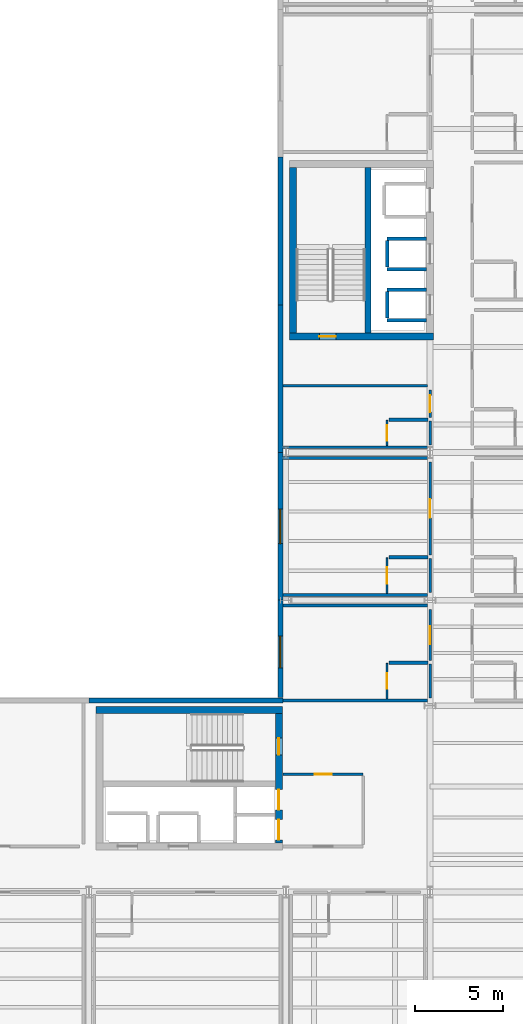
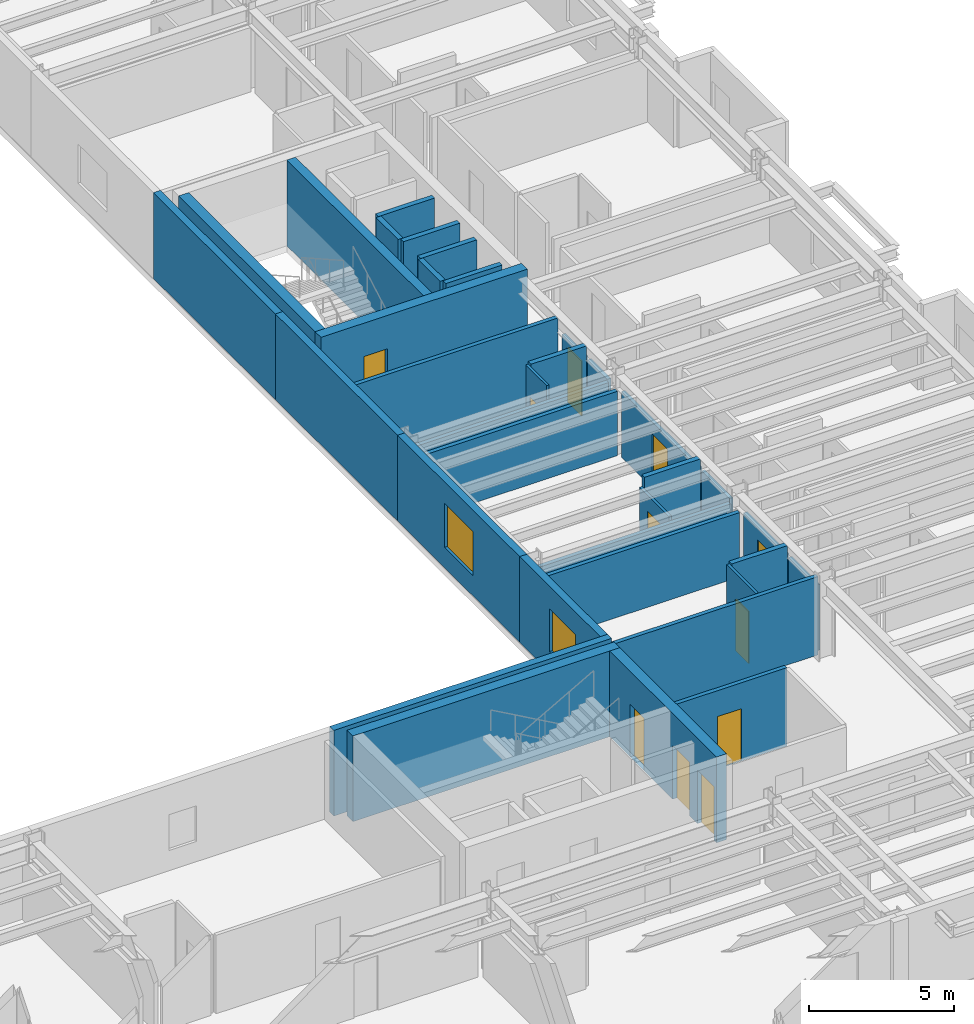
# One storey, part 19 of 27: 35 walls, 11 doors, 2 windows, 13 openings.
"""IFC4 building model written with IfcOpenShell, lengths in metres."""

from ifc_helpers import new_model, si_unit, direction, frame, frame_2d, origin, place, context, subcontext, project, spatial, rectangle, extrude, material, layer, layer_set, type_object, element, fill, save


model = new_model("IFC4")

# Units and contexts
model_context = context("Model", 3, precision=1e-05, world=origin(), true_north=direction((0.0, 1.0)))
body_context = subcontext(model_context, "Body", "Model", "MODEL_VIEW")
ifc_project = project(units=[si_unit("LENGTHUNIT", "METRE"), si_unit("AREAUNIT", "SQUARE_METRE"), si_unit("VOLUMEUNIT", "CUBIC_METRE"), si_unit("PLANEANGLEUNIT", "RADIAN"), si_unit("MASSUNIT", "GRAM", prefix="KILO")], contexts=[model_context])

# Site, building, storey
site_placement = place(None, origin())
site = spatial("IfcSite", under=ifc_project, at=site_placement, CompositionType="ELEMENT")
building_placement = place(site_placement, origin())
building = spatial("IfcBuilding", under=site, at=building_placement, Name="Sollismere Congress Hotel", CompositionType="ELEMENT")
storey_placement = place(building_placement, frame((0.0, 0.0, 27.0)))
storey = spatial("IfcBuildingStorey", under=building, at=storey_placement, Name="L06", CompositionType="ELEMENT", Elevation=27.0)

# Wall
ifc_material_1 = material(Name="Colorado Buff Sandstone Rainscreen on Insulated Backup", Category="masonry")
ifc_layer_1 = layer(ifc_material_1, 0.284912109375, Name="Colorado Buff Sandstone Rainscreen on Insulated Backup")
ifc_layer_set_1 = layer_set([ifc_layer_1], Name="Colorado Buff Sandstone Rainscreen on Insulated Backup")
wall_type_1 = type_object("IfcWallType", Name="WL-EXT285", PredefinedType="STANDARD", material=ifc_layer_set_1)
wall_1_placement = place(storey_placement, frame((147.030029296875, 19.110107421875, 0.0), z_axis=(0.0, 0.0, 1.0), x_axis=(-1.0, 0.0, 0.0)))
element("IfcWall", 1, at=wall_1_placement, inside=storey, type_object=wall_type_1, Name="Exterior wall EW-L06-727", PredefinedType="STANDARD", context=body_context, shape_type="SweptSolid", body=[
    extrude(rectangle(XDim=11.030029296875, YDim=0.284912109375, at=frame_2d((5.51513671875, 0.0))), origin(), (0.0, 0.0, 1.0), 3.60009765625),
])

# Wall, opening, window
wall_2_placement = place(storey_placement, frame((146.889892578125, 19.25439453125, 0.0), z_axis=(0.0, 0.0, 1.0), x_axis=(0.0, 1.0, 0.0)))
wall_2 = element("IfcWall", 2, at=wall_2_placement, inside=storey, type_object=wall_type_1, Name="Exterior wall EW-L06-728", PredefinedType="STANDARD", context=body_context, shape_type="SweptSolid", body=[
    extrude(rectangle(XDim=5.545654296875, YDim=0.284912109375, at=frame_2d((2.77294921875, 0.0))), origin(), (0.0, 0.0, 1.0), 3.60009765625),
])
opening_1_placement = place(wall_2_placement, frame((1.69775390625, 0.0, 0.85009765625)))
opening_1 = element("IfcOpeningElement", 3, at=opening_1_placement, cuts=wall_2, Name="Opening W-L06-532", PredefinedType="OPENING", context=body_context, shape_type="SweptSolid", body=[
    extrude(rectangle(XDim=1.800048828125, YDim=1.800048828125, at=frame_2d((0.89990234375, 0.89990234375))), frame((0.0, 0.15234375, 0.0), z_axis=(0.0, -1.0, 0.0), x_axis=(1.0, 0.0, 0.0)), (0.0, 0.0, 1.0), 0.304931640625),
])
ifc_material_2 = material(Name="Thermally Broken Bronze Aluminum & Low-E Glass", Category="aluminium")
window_type_1 = type_object("IfcWindowType", Name="WN-P180x180", PartitioningType="SINGLE_PANEL", PredefinedType="WINDOW", material=ifc_material_2)
window_1_placement = place(opening_1_placement, origin())
window_1 = element("IfcWindow", 4, at=window_1_placement, inside=storey, type_object=window_type_1, Name="WIN-W-L06-532", OverallHeight=1.800048828125, OverallWidth=1.800048828125, PartitioningType="SINGLE_PANEL", PredefinedType="WINDOW", context=body_context, shape_type="SweptSolid", body=[
    extrude(rectangle(XDim=1.800048828125, YDim=1.800048828125, at=frame_2d((0.89990234375, 0.89990234375))), frame((0.0, 0.030029296875, 0.0), z_axis=(0.0, -1.0, 0.0), x_axis=(1.0, 0.0, 0.0)), (0.0, 0.0, 1.0), 0.06005859375),
])
fill(opening_1, window_1)

wall_3_placement = place(storey_placement, frame((146.889892578125, 24.800048828125, 0.0), z_axis=(0.0, 0.0, 1.0), x_axis=(0.0, 1.0, 0.0)))
wall_3 = element("IfcWall", 5, at=wall_3_placement, inside=storey, type_object=wall_type_1, Name="Exterior wall EW-L06-729", PredefinedType="STANDARD", context=body_context, shape_type="SweptSolid", body=[
    extrude(rectangle(XDim=8.39990234375, YDim=0.284912109375, at=frame_2d((4.199951171875, 0.0))), origin(), (0.0, 0.0, 1.0), 3.60009765625),
])
opening_2_placement = place(wall_3_placement, frame((3.22509765625, 0.0, 0.85009765625)))
opening_2 = element("IfcOpeningElement", 6, at=opening_2_placement, cuts=wall_3, Name="Opening W-L06-533", PredefinedType="OPENING", context=body_context, shape_type="SweptSolid", body=[
    extrude(rectangle(XDim=1.949951171875, YDim=1.85009765625, at=frame_2d((0.97509765625, 0.925048828125))), frame((0.0, 0.15234375, 0.0), z_axis=(0.0, -1.0, 0.0), x_axis=(1.0, 0.0, 0.0)), (0.0, 0.0, 1.0), 0.304931640625),
])
window_type_2 = type_object("IfcWindowType", Name="WN-P195x185", PartitioningType="SINGLE_PANEL", PredefinedType="WINDOW", material=ifc_material_2)
window_2_placement = place(opening_2_placement, origin())
window_2 = element("IfcWindow", 7, at=window_2_placement, inside=storey, type_object=window_type_2, Name="WIN-W-L06-533", OverallHeight=1.85009765625, OverallWidth=1.949951171875, PartitioningType="SINGLE_PANEL", PredefinedType="WINDOW", context=body_context, shape_type="SweptSolid", body=[
    extrude(rectangle(XDim=1.949951171875, YDim=1.85009765625, at=frame_2d((0.97509765625, 0.925048828125))), frame((0.0, 0.030029296875, 0.0), z_axis=(0.0, -1.0, 0.0), x_axis=(1.0, 0.0, 0.0)), (0.0, 0.0, 1.0), 0.06005859375),
])
fill(opening_2, window_2)

# Walls
wall_4_placement = place(storey_placement, frame((146.889892578125, 33.199951171875, 0.0), z_axis=(0.0, 0.0, 1.0), x_axis=(0.0, 1.0, 0.0)))
element("IfcWall", 8, at=wall_4_placement, inside=storey, type_object=wall_type_1, Name="Exterior wall EW-L06-730", PredefinedType="STANDARD", context=body_context, shape_type="SweptSolid", body=[
    extrude(rectangle(XDim=8.400146484375, YDim=0.284912109375, at=frame_2d((4.2001953125, 0.0))), origin(), (0.0, 0.0, 1.0), 3.60009765625),
])
wall_5_placement = place(storey_placement, frame((146.889892578125, 41.60009765625, 0.0), z_axis=(0.0, 0.0, 1.0), x_axis=(0.0, 1.0, 0.0)))
element("IfcWall", 9, at=wall_5_placement, inside=storey, type_object=wall_type_1, Name="Exterior wall EW-L06-731", PredefinedType="STANDARD", context=body_context, shape_type="SweptSolid", body=[
    extrude(rectangle(XDim=8.39990234375, YDim=0.284912109375, at=frame_2d((4.199951171875, 0.0))), origin(), (0.0, 0.0, 1.0), 3.60009765625),
])
ifc_material_3 = material(Name="Moisture-Resistant Shaft Gypsum Assembly")
ifc_layer_2 = layer(ifc_material_3, 0.199951171875, Name="Moisture-Resistant Shaft Gypsum Assembly")
ifc_layer_set_2 = layer_set([ifc_layer_2], Name="Moisture-Resistant Shaft Gypsum Assembly")
wall_type_2 = type_object("IfcWallType", Name="WL-PLM200", PredefinedType="PLUMBINGWALL", material=ifc_layer_set_2)
for number, where, z_axis, x_axis, name in (
    (10, (152.955078125, 40.72998046875, 0.0), (0.0, 0.0, 1.0), (1.0, 0.0, 0.0), "Interior wall IW-L06-0481"),
    (11, (152.955078125, 42.469970703125, 0.0), (0.0, 0.0, 1.0), (1.0, 0.0, 0.0), "Interior wall IW-L06-0482"),
):
    element("IfcWall", number, at=place(storey_placement, frame(where, z_axis=z_axis, x_axis=x_axis)), inside=storey, type_object=wall_type_2, Name=name, PredefinedType="PLUMBINGWALL", context=body_context, shape_type="SweptSolid", body=[
        extrude(rectangle(XDim=2.23291015625, YDim=0.199951171875, at=frame_2d((1.116455078125, 0.0))), origin(), (0.0, 0.0, 1.0), 3.2900390625),
    ])
wall_6_placement = place(storey_placement, frame((152.955078125, 40.842041015625, 0.0), z_axis=(0.0, 0.0, 1.0), x_axis=(0.0, 1.0, 0.0)))
element("IfcWall", 12, at=wall_6_placement, inside=storey, type_object=wall_type_2, Name="Interior wall IW-L06-0483", PredefinedType="PLUMBINGWALL", context=body_context, shape_type="SweptSolid", body=[
    extrude(rectangle(XDim=1.515869140625, YDim=0.199951171875, at=frame_2d((0.7578125, 0.0))), origin(), (0.0, 0.0, 1.0), 3.2900390625),
])
for number, where, z_axis, x_axis, name in (
    (13, (152.955078125, 43.6298828125, 0.0), (0.0, 0.0, 1.0), (1.0, 0.0, 0.0), "Interior wall IW-L06-0484"),
    (14, (152.955078125, 45.3701171875, 0.0), (0.0, 0.0, 1.0), (1.0, 0.0, 0.0), "Interior wall IW-L06-0485"),
):
    element("IfcWall", number, at=place(storey_placement, frame(where, z_axis=z_axis, x_axis=x_axis)), inside=storey, type_object=wall_type_2, Name=name, PredefinedType="PLUMBINGWALL", context=body_context, shape_type="SweptSolid", body=[
        extrude(rectangle(XDim=2.23291015625, YDim=0.199951171875, at=frame_2d((1.116455078125, 0.0))), origin(), (0.0, 0.0, 1.0), 3.2900390625),
    ])
wall_7_placement = place(storey_placement, frame((152.955078125, 43.741943359375, 0.0), z_axis=(0.0, 0.0, 1.0), x_axis=(0.0, 1.0, 0.0)))
element("IfcWall", 15, at=wall_7_placement, inside=storey, type_object=wall_type_2, Name="Interior wall IW-L06-0486", PredefinedType="PLUMBINGWALL", context=body_context, shape_type="SweptSolid", body=[
    extrude(rectangle(XDim=1.51611328125, YDim=0.199951171875, at=frame_2d((0.758056640625, 0.0))), origin(), (0.0, 0.0, 1.0), 3.2900390625),
])
for number, where, z_axis, x_axis, name in (
    (16, (153.070068359375, 21.25, 0.0), (0.0, 0.0, 1.0), (1.0, 0.0, 0.0), "Interior wall IW-L06-2134"),
    (17, (153.070068359375, 27.25, 0.0), (0.0, 0.0, 1.0), (1.0, 0.0, 0.0), "Interior wall IW-L06-2146"),
    (18, (153.070068359375, 35.074951171875, 0.0), (0.0, 0.0, 1.0), (1.0, 0.0, 0.0), "Interior wall IW-L06-2158"),
):
    element("IfcWall", number, at=place(storey_placement, frame(where, z_axis=z_axis, x_axis=x_axis)), inside=storey, type_object=wall_type_2, Name=name, PredefinedType="PLUMBINGWALL", context=body_context, shape_type="SweptSolid", body=[
        extrude(rectangle(XDim=2.2099609375, YDim=0.199951171875, at=frame_2d((1.10498046875, 0.0))), origin(), (0.0, 0.0, 1.0), 3.2900390625),
    ])

# Wall, opening, door
ifc_material_4 = material(Name="Moisture-Resistant Gypsum Partition")
ifc_layer_3 = layer(ifc_material_4, 0.10009765625, Name="Moisture-Resistant Gypsum Partition")
ifc_layer_set_3 = layer_set([ifc_layer_3], Name="Moisture-Resistant Gypsum Partition")
wall_type_3 = type_object("IfcWallType", Name="WL-PRT100", PredefinedType="PARTITIONING", material=ifc_layer_set_3)
wall_8_placement = place(storey_placement, frame((152.949951171875, 19.194580078125, 0.0), z_axis=(0.0, 0.0, 1.0), x_axis=(0.0, 1.0, 0.0)))
wall_8 = element("IfcWall", 19, at=wall_8_placement, inside=storey, type_object=wall_type_3, Name="Interior wall IW-L06-2135", PredefinedType="PARTITIONING", context=body_context, shape_type="SweptSolid", body=[
    extrude(rectangle(XDim=2.015380859375, YDim=0.10009765625, at=frame_2d((1.0078125, 0.0))), origin(), (0.0, 0.0, 1.0), 3.2900390625),
])
opening_3_placement = place(wall_8_placement, frame((0.568115234375, 0.0, 0.0)))
opening_3 = element("IfcOpeningElement", 20, at=opening_3_placement, cuts=wall_8, Name="Opening D-L06-0753", PredefinedType="OPENING", context=body_context, shape_type="SweptSolid", body=[
    extrude(rectangle(XDim=0.8798828125, YDim=2.179931640625, at=frame_2d((0.43994140625, 1.08984375))), frame((0.0, 0.06005859375, 0.0), z_axis=(0.0, -1.0, 0.0), x_axis=(1.0, 0.0, 0.0)), (0.0, 0.0, 1.0), 0.1201171875),
])
ifc_material_5 = material(Name="Moisture-Sealed Timber Bathroom Door", Category="wood")
door_type_1 = type_object("IfcDoorType", Name="DR-BT05", OperationType="NOTDEFINED", PredefinedType="DOOR", material=ifc_material_5)
door_1_placement = place(opening_3_placement, origin())
door_1 = element("IfcDoor", 21, at=door_1_placement, inside=storey, type_object=door_type_1, Name="En-suite bathroom door D-L06-0753", OperationType="SINGLE_SWING_RIGHT", OverallHeight=2.179931640625, OverallWidth=0.8798828125, PredefinedType="DOOR", context=body_context, shape_type="SweptSolid", body=[
    extrude(rectangle(XDim=0.8798828125, YDim=2.179931640625, at=frame_2d((0.43994140625, 1.08984375))), frame((0.0, 0.02490234375, 0.0), z_axis=(0.0, -1.0, 0.0), x_axis=(1.0, 0.0, 0.0)), (0.0, 0.0, 1.0), 0.050048828125),
])
fill(opening_3, door_1)

wall_9_placement = place(storey_placement, frame((152.949951171875, 25.194580078125, 0.0), z_axis=(0.0, 0.0, 1.0), x_axis=(0.0, 1.0, 0.0)))
wall_9 = element("IfcWall", 22, at=wall_9_placement, inside=storey, type_object=wall_type_3, Name="Interior wall IW-L06-2147", PredefinedType="PARTITIONING", context=body_context, shape_type="SweptSolid", body=[
    extrude(rectangle(XDim=2.015380859375, YDim=0.10009765625, at=frame_2d((1.0078125, 0.0))), origin(), (0.0, 0.0, 1.0), 2.89794921875),
])
opening_4_placement = place(wall_9_placement, frame((0.54296875, 0.0, 0.0)))
opening_4 = element("IfcOpeningElement", 23, at=opening_4_placement, cuts=wall_9, Name="Opening D-L06-0757", PredefinedType="OPENING", context=body_context, shape_type="SweptSolid", body=[
    extrude(rectangle(XDim=0.929931640625, YDim=2.219970703125, at=frame_2d((0.46484375, 1.10986328125))), frame((0.0, 0.06005859375, 0.0), z_axis=(0.0, -1.0, 0.0), x_axis=(1.0, 0.0, 0.0)), (0.0, 0.0, 1.0), 0.1201171875),
])
door_type_2 = type_object("IfcDoorType", Name="DR-BT07", OperationType="NOTDEFINED", PredefinedType="DOOR", material=ifc_material_5)
door_2_placement = place(opening_4_placement, origin())
door_2 = element("IfcDoor", 24, at=door_2_placement, inside=storey, type_object=door_type_2, Name="En-suite bathroom door D-L06-0757", OperationType="SINGLE_SWING_RIGHT", OverallHeight=2.219970703125, OverallWidth=0.929931640625, PredefinedType="DOOR", context=body_context, shape_type="SweptSolid", body=[
    extrude(rectangle(XDim=0.929931640625, YDim=2.219970703125, at=frame_2d((0.46484375, 1.10986328125))), frame((0.0, 0.02490234375, 0.0), z_axis=(0.0, -1.0, 0.0), x_axis=(1.0, 0.0, 0.0)), (0.0, 0.0, 1.0), 0.050048828125),
])
fill(opening_4, door_2)

wall_10_placement = place(storey_placement, frame((152.949951171875, 33.594482421875, 0.0), z_axis=(0.0, 0.0, 1.0), x_axis=(0.0, 1.0, 0.0)))
wall_10 = element("IfcWall", 25, at=wall_10_placement, inside=storey, type_object=wall_type_3, Name="Interior wall IW-L06-2159", PredefinedType="PARTITIONING", context=body_context, shape_type="SweptSolid", body=[
    extrude(rectangle(XDim=1.4404296875, YDim=0.10009765625, at=frame_2d((0.72021484375, 0.0))), origin(), (0.0, 0.0, 1.0), 3.2900390625),
])
opening_5_placement = place(wall_10_placement, frame((0.280029296875, 0.0, 0.0)))
opening_5 = element("IfcOpeningElement", 26, at=opening_5_placement, cuts=wall_10, Name="Opening D-L06-0761", PredefinedType="OPENING", context=body_context, shape_type="SweptSolid", body=[
    extrude(rectangle(XDim=0.8798828125, YDim=2.10009765625, at=frame_2d((0.43994140625, 1.050048828125))), frame((0.0, 0.06005859375, 0.0), z_axis=(0.0, -1.0, 0.0), x_axis=(1.0, 0.0, 0.0)), (0.0, 0.0, 1.0), 0.1201171875),
])
door_type_3 = type_object("IfcDoorType", Name="DR-BT01", OperationType="NOTDEFINED", PredefinedType="DOOR", material=ifc_material_5)
door_3_placement = place(opening_5_placement, origin())
door_3 = element("IfcDoor", 27, at=door_3_placement, inside=storey, type_object=door_type_3, Name="En-suite bathroom door D-L06-0761", OperationType="SINGLE_SWING_RIGHT", OverallHeight=2.10009765625, OverallWidth=0.8798828125, PredefinedType="DOOR", context=body_context, shape_type="SweptSolid", body=[
    extrude(rectangle(XDim=0.8798828125, YDim=2.10009765625, at=frame_2d((0.43994140625, 1.050048828125))), frame((0.0, 0.02490234375, 0.0), z_axis=(0.0, -1.0, 0.0), x_axis=(1.0, 0.0, 0.0)), (0.0, 0.0, 1.0), 0.050048828125),
])
fill(opening_5, door_3)

# Wall
ifc_material_6 = material(Name="Fire-Rated Gypsum Partition")
ifc_layer_4 = layer(ifc_material_6, 0.139892578125, Name="Fire-Rated Gypsum Partition")
ifc_layer_set_4 = layer_set([ifc_layer_4], Name="Fire-Rated Gypsum Partition")
wall_type_4 = type_object("IfcWallType", Name="WL-PRT140R", PredefinedType="PARTITIONING", material=ifc_layer_set_4)
wall_11_placement = place(storey_placement, frame((155.39990234375, 19.239990234375, 0.0), z_axis=(0.0, 0.0, 1.0), x_axis=(0.0, 1.0, 0.0)))
element("IfcWall", 28, at=wall_11_placement, inside=storey, type_object=wall_type_4, Name="Interior wall IW-L06-2130", PredefinedType="PARTITIONING", context=body_context, shape_type="SweptSolid", body=[
    extrude(rectangle(XDim=1.929931640625, YDim=0.139892578125, at=frame_2d((0.96484375, 0.0))), origin(), (0.0, 0.0, 1.0), 2.763916015625),
])

# Wall, opening, door
wall_12_placement = place(storey_placement, frame((155.39990234375, 21.3701171875, 0.0), z_axis=(0.0, 0.0, 1.0), x_axis=(0.0, 1.0, 0.0)))
wall_12 = element("IfcWall", 29, at=wall_12_placement, inside=storey, type_object=wall_type_4, Name="Interior wall IW-L06-2131", PredefinedType="PARTITIONING", context=body_context, shape_type="SweptSolid", body=[
    extrude(rectangle(XDim=2.889892578125, YDim=0.139892578125, at=frame_2d((1.44482421875, 0.0))), origin(), (0.0, 0.0, 1.0), 2.763916015625),
])
opening_6_placement = place(wall_12_placement, frame((0.93994140625, 0.0, 0.0)))
opening_6 = element("IfcOpeningElement", 30, at=opening_6_placement, cuts=wall_12, Name="Opening D-L06-0752", PredefinedType="OPENING", context=body_context, shape_type="SweptSolid", body=[
    extrude(rectangle(XDim=1.010009765625, YDim=2.199951171875, at=frame_2d((0.5048828125, 1.10009765625))), frame((0.0, 0.079833984375, 0.0), z_axis=(0.0, -1.0, 0.0), x_axis=(1.0, 0.0, 0.0)), (0.0, 0.0, 1.0), 0.159912109375),
])
ifc_material_7 = material(Name="Solid-Core Acoustic Walnut Guestroom Entry Door")
door_type_4 = type_object("IfcDoorType", Name="DR-KY04", OperationType="NOTDEFINED", PredefinedType="DOOR", material=ifc_material_7)
door_4_placement = place(opening_6_placement, origin())
door_4 = element("IfcDoor", 31, at=door_4_placement, inside=storey, type_object=door_type_4, Name="Hotel room entry door D-L06-0752", OperationType="SINGLE_SWING_LEFT", OverallHeight=2.199951171875, OverallWidth=1.010009765625, PredefinedType="DOOR", context=body_context, shape_type="SweptSolid", body=[
    extrude(rectangle(XDim=1.010009765625, YDim=2.199951171875, at=frame_2d((0.5048828125, 1.10009765625))), frame((0.0, 0.02490234375, 0.0), z_axis=(0.0, -1.0, 0.0), x_axis=(1.0, 0.0, 0.0)), (0.0, 0.0, 1.0), 0.050048828125),
])
fill(opening_6, door_4)

# Wall
wall_13_placement = place(storey_placement, frame((155.39990234375, 25.239990234375, 0.0), z_axis=(0.0, 0.0, 1.0), x_axis=(0.0, 1.0, 0.0)))
element("IfcWall", 32, at=wall_13_placement, inside=storey, type_object=wall_type_4, Name="Interior wall IW-L06-2142", PredefinedType="PARTITIONING", context=body_context, shape_type="SweptSolid", body=[
    extrude(rectangle(XDim=1.929931640625, YDim=0.139892578125, at=frame_2d((0.96484375, 0.0))), origin(), (0.0, 0.0, 1.0), 2.763916015625),
])

# Wall, opening, door
wall_14_placement = place(storey_placement, frame((155.39990234375, 27.3701171875, 0.0), z_axis=(0.0, 0.0, 1.0), x_axis=(0.0, 1.0, 0.0)))
wall_14 = element("IfcWall", 33, at=wall_14_placement, inside=storey, type_object=wall_type_4, Name="Interior wall IW-L06-2143", PredefinedType="PARTITIONING", context=body_context, shape_type="SweptSolid", body=[
    extrude(rectangle(XDim=5.289794921875, YDim=0.139892578125, at=frame_2d((2.64501953125, 0.0))), origin(), (0.0, 0.0, 1.0), 2.763916015625),
])
opening_7_placement = place(wall_14_placement, frame((2.110107421875, 0.0, 0.0)))
opening_7 = element("IfcOpeningElement", 34, at=opening_7_placement, cuts=wall_14, Name="Opening D-L06-0756", PredefinedType="OPENING", context=body_context, shape_type="SweptSolid", body=[
    extrude(rectangle(XDim=1.070068359375, YDim=2.25, at=frame_2d((0.53515625, 1.125))), frame((0.0, 0.079833984375, 0.0), z_axis=(0.0, -1.0, 0.0), x_axis=(1.0, 0.0, 0.0)), (0.0, 0.0, 1.0), 0.159912109375),
])
door_type_5 = type_object("IfcDoorType", Name="DR-KY06", OperationType="NOTDEFINED", PredefinedType="DOOR", material=ifc_material_7)
door_5_placement = place(opening_7_placement, origin())
door_5 = element("IfcDoor", 35, at=door_5_placement, inside=storey, type_object=door_type_5, Name="Hotel room entry door D-L06-0756", OperationType="SINGLE_SWING_LEFT", OverallHeight=2.25, OverallWidth=1.070068359375, PredefinedType="DOOR", context=body_context, shape_type="SweptSolid", body=[
    extrude(rectangle(XDim=1.070068359375, YDim=2.25, at=frame_2d((0.53515625, 1.125))), frame((0.0, 0.02490234375, 0.0), z_axis=(0.0, -1.0, 0.0), x_axis=(1.0, 0.0, 0.0)), (0.0, 0.0, 1.0), 0.050048828125),
])
fill(opening_7, door_5)

# Wall
wall_15_placement = place(storey_placement, frame((155.39990234375, 33.639892578125, 0.0), z_axis=(0.0, 0.0, 1.0), x_axis=(0.0, 1.0, 0.0)))
element("IfcWall", 36, at=wall_15_placement, inside=storey, type_object=wall_type_4, Name="Interior wall IW-L06-2154", PredefinedType="PARTITIONING", context=body_context, shape_type="SweptSolid", body=[
    extrude(rectangle(XDim=1.355224609375, YDim=0.139892578125, at=frame_2d((0.677734375, 0.0))), origin(), (0.0, 0.0, 1.0), 2.679931640625),
])

# Wall, opening, door
wall_16_placement = place(storey_placement, frame((155.39990234375, 35.195068359375, 0.0), z_axis=(0.0, 0.0, 1.0), x_axis=(0.0, 1.0, 0.0)))
wall_16 = element("IfcWall", 37, at=wall_16_placement, inside=storey, type_object=wall_type_4, Name="Interior wall IW-L06-2155", PredefinedType="PARTITIONING", context=body_context, shape_type="SweptSolid", body=[
    extrude(rectangle(XDim=1.56494140625, YDim=0.139892578125, at=frame_2d((0.782470703125, 0.0))), origin(), (0.0, 0.0, 1.0), 2.679931640625),
])
opening_8_placement = place(wall_16_placement, frame((0.306884765625, 0.0, 0.0)))
opening_8 = element("IfcOpeningElement", 38, at=opening_8_placement, cuts=wall_16, Name="Opening D-L06-0760", PredefinedType="OPENING", context=body_context, shape_type="SweptSolid", body=[
    extrude(rectangle(XDim=0.949951171875, YDim=2.300048828125, at=frame_2d((0.47509765625, 1.14990234375))), frame((0.0, 0.079833984375, 0.0), z_axis=(0.0, -1.0, 0.0), x_axis=(1.0, 0.0, 0.0)), (0.0, 0.0, 1.0), 0.159912109375),
])
door_type_6 = type_object("IfcDoorType", Name="DR-KY08", OperationType="NOTDEFINED", PredefinedType="DOOR", material=ifc_material_7)
door_6_placement = place(opening_8_placement, origin())
door_6 = element("IfcDoor", 39, at=door_6_placement, inside=storey, type_object=door_type_6, Name="Hotel room entry door D-L06-0760", OperationType="SINGLE_SWING_LEFT", OverallHeight=2.300048828125, OverallWidth=0.949951171875, PredefinedType="DOOR", context=body_context, shape_type="SweptSolid", body=[
    extrude(rectangle(XDim=0.949951171875, YDim=2.300048828125, at=frame_2d((0.47509765625, 1.14990234375))), frame((0.0, 0.02490234375, 0.0), z_axis=(0.0, -1.0, 0.0), x_axis=(1.0, 0.0, 0.0)), (0.0, 0.0, 1.0), 0.050048828125),
])
fill(opening_8, door_6)

ifc_material_8 = material(Name="Fire-Rated Acoustic Gypsum Partition")
ifc_layer_5 = layer(ifc_material_8, 0.1650390625, Name="Fire-Rated Acoustic Gypsum Partition")
ifc_layer_set_5 = layer_set([ifc_layer_5], Name="Fire-Rated Acoustic Gypsum Partition")
wall_type_5 = type_object("IfcWallType", Name="WL-PRT165R", PredefinedType="PARTITIONING", material=ifc_layer_set_5)
wall_17_placement = place(storey_placement, frame((147.050048828125, 14.89990234375, 0.0), z_axis=(0.0, 0.0, 1.0), x_axis=(1.0, 0.0, 0.0)))
wall_17 = element("IfcWall", 40, at=wall_17_placement, inside=storey, type_object=wall_type_5, Name="Interior wall IW-L06-0127", PredefinedType="PARTITIONING", context=body_context, shape_type="SweptSolid", body=[
    extrude(rectangle(XDim=4.550048828125, YDim=0.1650390625, at=frame_2d((2.27490234375, 0.0))), origin(), (0.0, 0.0, 1.0), 3.2900390625),
])
opening_9_placement = place(wall_17_placement, frame((1.800048828125, 0.0, 0.0)))
opening_9 = element("IfcOpeningElement", 41, at=opening_9_placement, cuts=wall_17, Name="Opening D-FFS-L06", PredefinedType="OPENING", context=body_context, shape_type="SweptSolid", body=[
    extrude(rectangle(XDim=0.949951171875, YDim=2.199951171875, at=frame_2d((0.47509765625, 1.10009765625))), frame((0.0, 0.092529296875, 0.0), z_axis=(0.0, -1.0, 0.0), x_axis=(1.0, 0.0, 0.0)), (0.0, 0.0, 1.0), 0.18505859375),
])
ifc_material_9 = material(Name="Fire-Rated Insulated Steel Door", Category="steel")
door_type_7 = type_object("IfcDoorType", Name="DR-FD90", OperationType="NOTDEFINED", PredefinedType="DOOR", material=ifc_material_9)
door_7_placement = place(opening_9_placement, origin())
door_7 = element("IfcDoor", 42, at=door_7_placement, inside=storey, type_object=door_type_7, Name="Firefighting stair vestibule door D-FFS-L06", OperationType="SINGLE_SWING_RIGHT", OverallHeight=2.199951171875, OverallWidth=0.949951171875, PredefinedType="DOOR", context=body_context, shape_type="SweptSolid", body=[
    extrude(rectangle(XDim=0.949951171875, YDim=2.199951171875, at=frame_2d((0.47509765625, 1.10009765625))), frame((0.0, 0.02490234375, 0.0), z_axis=(0.0, -1.0, 0.0), x_axis=(1.0, 0.0, 0.0)), (0.0, 0.0, 1.0), 0.050048828125),
])
fill(opening_9, door_7)

# Walls
wall_18_placement = place(storey_placement, frame((147.0400390625, 19.10009765625, 0.0), z_axis=(0.0, 0.0, 1.0), x_axis=(1.0, 0.0, 0.0)))
element("IfcWall", 43, at=wall_18_placement, inside=storey, type_object=wall_type_5, Name="Interior wall IW-L06-2132", PredefinedType="PARTITIONING", context=body_context, shape_type="SweptSolid", body=[
    extrude(rectangle(XDim=8.219970703125, YDim=0.1650390625, at=frame_2d((4.10986328125, 0.0))), origin(), (0.0, 0.0, 1.0), 3.2900390625),
])
for number, where, z_axis, x_axis, name in (
    (44, (147.047607421875, 24.5, 0.0), (0.0, 0.0, 1.0), (1.0, 0.0, 0.0), "Interior wall IW-L06-2133"),
    (45, (147.047607421875, 25.10009765625, 0.0), (0.0, 0.0, 1.0), (1.0, 0.0, 0.0), "Interior wall IW-L06-2144"),
    (46, (147.047607421875, 32.89990234375, 0.0), (0.0, 0.0, 1.0), (1.0, 0.0, 0.0), "Interior wall IW-L06-2145"),
    (47, (147.047607421875, 33.5, 0.0), (0.0, 0.0, 1.0), (1.0, 0.0, 0.0), "Interior wall IW-L06-2156"),
):
    element("IfcWall", number, at=place(storey_placement, frame(where, z_axis=z_axis, x_axis=x_axis)), inside=storey, type_object=wall_type_5, Name=name, PredefinedType="PARTITIONING", context=body_context, shape_type="SweptSolid", body=[
        extrude(rectangle(XDim=8.21240234375, YDim=0.1650390625, at=frame_2d((4.106201171875, 0.0))), origin(), (0.0, 0.0, 1.0), 2.702880859375),
    ])
wall_19_placement = place(storey_placement, frame((147.047607421875, 37.0, 0.0), z_axis=(0.0, 0.0, 1.0), x_axis=(1.0, 0.0, 0.0)))
element("IfcWall", 48, at=wall_19_placement, inside=storey, type_object=wall_type_5, Name="Interior wall IW-L06-2157", PredefinedType="PARTITIONING", context=body_context, shape_type="SweptSolid", body=[
    extrude(rectangle(XDim=8.21240234375, YDim=0.1650390625, at=frame_2d((4.106201171875, 0.0))), origin(), (0.0, 0.0, 1.0), 3.2900390625),
])
ifc_material_10 = material(Name="Concrete C50/60", Category="concrete")
ifc_layer_6 = layer(ifc_material_10, 0.35009765625, Name="Concrete C50/60")
ifc_layer_set_6 = layer_set([ifc_layer_6], Name="Concrete C50/60")
wall_type_6 = type_object("IfcWallType", Name="WL-SHR350", PredefinedType="SHEAR", material=ifc_layer_set_6)
wall_20_placement = place(storey_placement, frame((151.875, 40.0, 0.0), z_axis=(0.0, 0.0, 1.0), x_axis=(0.0, 1.0, 0.0)))
element("IfcWall", 49, at=wall_20_placement, inside=storey, type_object=wall_type_6, Name="Interior wall IW-L06-0480", PredefinedType="SHEAR", context=body_context, shape_type="SweptSolid", body=[
    extrude(rectangle(XDim=9.39990234375, YDim=0.35009765625, at=frame_2d((4.699951171875, 0.0))), origin(), (0.0, 0.0, 1.0), 3.60009765625),
])
ifc_layer_7 = layer(ifc_material_10, 0.39990234375, Name="Concrete C50/60")
ifc_layer_set_7 = layer_set([ifc_layer_7], Name="Concrete C50/60")
wall_type_7 = type_object("IfcWallType", Name="WL-SHR400", PredefinedType="SHEAR", material=ifc_layer_set_7)
wall_21_placement = place(storey_placement, frame((147.0, 18.550048828125, 0.0), z_axis=(0.0, 0.0, 1.0), x_axis=(-1.0, 0.0, 0.0)))
element("IfcWall", 50, at=wall_21_placement, inside=storey, type_object=wall_type_7, Name="Interior wall IW-L06-0114", PredefinedType="SHEAR", context=body_context, shape_type="SweptSolid", body=[
    extrude(rectangle(XDim=10.60009765625, YDim=0.39990234375, at=frame_2d((5.300048828125, 0.0))), origin(), (0.0, 0.0, 1.0), 3.60009765625),
])

# Wall, openings, doors
wall_22_placement = place(storey_placement, frame((146.800048828125, 11.0, 0.0), z_axis=(0.0, 0.0, 1.0), x_axis=(0.0, 1.0, 0.0)))
wall_22 = element("IfcWall", 51, at=wall_22_placement, inside=storey, type_object=wall_type_7, Name="Interior wall IW-L06-0116", PredefinedType="SHEAR", context=body_context, shape_type="SweptSolid", body=[
    extrude(rectangle(XDim=7.35009765625, YDim=0.39990234375, at=frame_2d((3.675048828125, 0.0))), origin(), (0.0, 0.0, 1.0), 3.60009765625),
])
opening_10_placement = place(wall_22_placement, frame((5.0, 0.0, 0.0)))
opening_10 = element("IfcOpeningElement", 52, at=opening_10_placement, cuts=wall_22, Name="Opening D-ST-01-L06", PredefinedType="OPENING", context=body_context, shape_type="SweptSolid", body=[
    extrude(rectangle(XDim=0.949951171875, YDim=2.199951171875, at=frame_2d((0.47509765625, 1.10009765625))), frame((0.0, 0.2099609375, 0.0), z_axis=(0.0, -1.0, 0.0), x_axis=(1.0, 0.0, 0.0)), (0.0, 0.0, 1.0), 0.419921875),
])
opening_11_placement = place(wall_22_placement, frame((0.175048828125, 0.0, 0.0)))
opening_11 = element("IfcOpeningElement", 53, at=opening_11_placement, cuts=wall_22, Name="Opening LD-FL-01-L06", PredefinedType="OPENING", context=body_context, shape_type="SweptSolid", body=[
    extrude(rectangle(XDim=1.14990234375, YDim=2.25, at=frame_2d((0.574951171875, 1.125))), frame((0.0, 0.2099609375, 0.0), z_axis=(0.0, -1.0, 0.0), x_axis=(1.0, 0.0, 0.0)), (0.0, 0.0, 1.0), 0.419921875),
])
opening_12_placement = place(wall_22_placement, frame((1.875, 0.0, 0.0)))
opening_12 = element("IfcOpeningElement", 54, at=opening_12_placement, cuts=wall_22, Name="Opening LD-FL-02-L06", PredefinedType="OPENING", context=body_context, shape_type="SweptSolid", body=[
    extrude(rectangle(XDim=1.14990234375, YDim=2.25, at=frame_2d((0.574951171875, 1.125))), frame((0.0, 0.2099609375, 0.0), z_axis=(0.0, -1.0, 0.0), x_axis=(1.0, 0.0, 0.0)), (0.0, 0.0, 1.0), 0.419921875),
])
door_8_placement = place(opening_10_placement, origin())
door_8 = element("IfcDoor", 55, at=door_8_placement, inside=storey, type_object=door_type_7, Name="Exit stair fire door D-ST-01-L06", OperationType="SINGLE_SWING_RIGHT", OverallHeight=2.199951171875, OverallWidth=0.949951171875, PredefinedType="DOOR", context=body_context, shape_type="SweptSolid", body=[
    extrude(rectangle(XDim=0.949951171875, YDim=2.199951171875, at=frame_2d((0.47509765625, 1.10009765625))), frame((0.0, 0.02490234375, 0.0), z_axis=(0.0, -1.0, 0.0), x_axis=(1.0, 0.0, 0.0)), (0.0, 0.0, 1.0), 0.050048828125),
])
fill(opening_10, door_8)
ifc_material_11 = material(Name="Stainless Steel Sliding Elevator Landing Door", Category="steel")
door_type_8 = type_object("IfcDoorType", Name="DR-LD115", OperationType="NOTDEFINED", PredefinedType="DOOR", material=ifc_material_11)
door_9_placement = place(opening_11_placement, origin())
door_9 = element("IfcDoor", 56, at=door_9_placement, inside=storey, type_object=door_type_8, Name="Elevator landing door LD-FL-01-L06", OperationType="SLIDING_TO_LEFT", OverallHeight=2.25, OverallWidth=1.14990234375, PredefinedType="DOOR", context=body_context, shape_type="SweptSolid", body=[
    extrude(rectangle(XDim=1.14990234375, YDim=2.25, at=frame_2d((0.574951171875, 1.125))), frame((0.0, 0.02490234375, 0.0), z_axis=(0.0, -1.0, 0.0), x_axis=(1.0, 0.0, 0.0)), (0.0, 0.0, 1.0), 0.050048828125),
])
fill(opening_11, door_9)
door_10_placement = place(opening_12_placement, origin())
door_10 = element("IfcDoor", 57, at=door_10_placement, inside=storey, type_object=door_type_8, Name="Elevator landing door LD-FL-02-L06", OperationType="SLIDING_TO_RIGHT", OverallHeight=2.25, OverallWidth=1.14990234375, PredefinedType="DOOR", context=body_context, shape_type="SweptSolid", body=[
    extrude(rectangle(XDim=1.14990234375, YDim=2.25, at=frame_2d((0.574951171875, 1.125))), frame((0.0, 0.02490234375, 0.0), z_axis=(0.0, -1.0, 0.0), x_axis=(1.0, 0.0, 0.0)), (0.0, 0.0, 1.0), 0.050048828125),
])
fill(opening_12, door_10)

# Wall, opening, door
wall_23_placement = place(storey_placement, frame((147.39990234375, 39.800048828125, 0.0), z_axis=(0.0, 0.0, 1.0), x_axis=(1.0, 0.0, 0.0)))
wall_23 = element("IfcWall", 58, at=wall_23_placement, inside=storey, type_object=wall_type_7, Name="Interior wall IW-L06-0476", PredefinedType="SHEAR", context=body_context, shape_type="SweptSolid", body=[
    extrude(rectangle(XDim=8.2001953125, YDim=0.39990234375, at=frame_2d((4.10009765625, 0.0))), origin(), (0.0, 0.0, 1.0), 3.60009765625),
])
opening_13_placement = place(wall_23_placement, frame((1.699951171875, 0.0, 0.0)))
opening_13 = element("IfcOpeningElement", 59, at=opening_13_placement, cuts=wall_23, Name="Opening D-ST-03-L06", PredefinedType="OPENING", context=body_context, shape_type="SweptSolid", body=[
    extrude(rectangle(XDim=0.949951171875, YDim=2.199951171875, at=frame_2d((0.47509765625, 1.10009765625))), frame((0.0, 0.2099609375, 0.0), z_axis=(0.0, -1.0, 0.0), x_axis=(1.0, 0.0, 0.0)), (0.0, 0.0, 1.0), 0.419921875),
])
door_11_placement = place(opening_13_placement, origin())
door_11 = element("IfcDoor", 60, at=door_11_placement, inside=storey, type_object=door_type_7, Name="Exit stair fire door D-ST-03-L06", OperationType="SINGLE_SWING_RIGHT", OverallHeight=2.199951171875, OverallWidth=0.949951171875, PredefinedType="DOOR", context=body_context, shape_type="SweptSolid", body=[
    extrude(rectangle(XDim=0.949951171875, YDim=2.199951171875, at=frame_2d((0.47509765625, 1.10009765625))), frame((0.0, 0.02490234375, 0.0), z_axis=(0.0, -1.0, 0.0), x_axis=(1.0, 0.0, 0.0)), (0.0, 0.0, 1.0), 0.050048828125),
])
fill(opening_13, door_11)

# Wall
wall_24_placement = place(storey_placement, frame((147.60009765625, 49.39990234375, 0.0), z_axis=(0.0, 0.0, 1.0), x_axis=(0.0, -1.0, 0.0)))
element("IfcWall", 61, at=wall_24_placement, inside=storey, type_object=wall_type_7, Name="Interior wall IW-L06-0478", PredefinedType="SHEAR", context=body_context, shape_type="SweptSolid", body=[
    extrude(rectangle(XDim=9.39990234375, YDim=0.39990234375, at=frame_2d((4.699951171875, 0.0))), origin(), (0.0, 0.0, 1.0), 3.60009765625),
])

save(model, "model.ifc")
